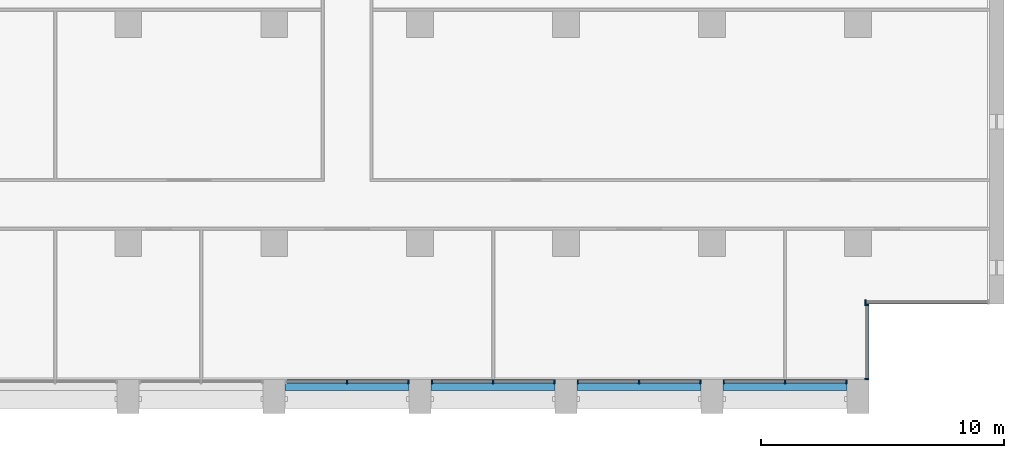
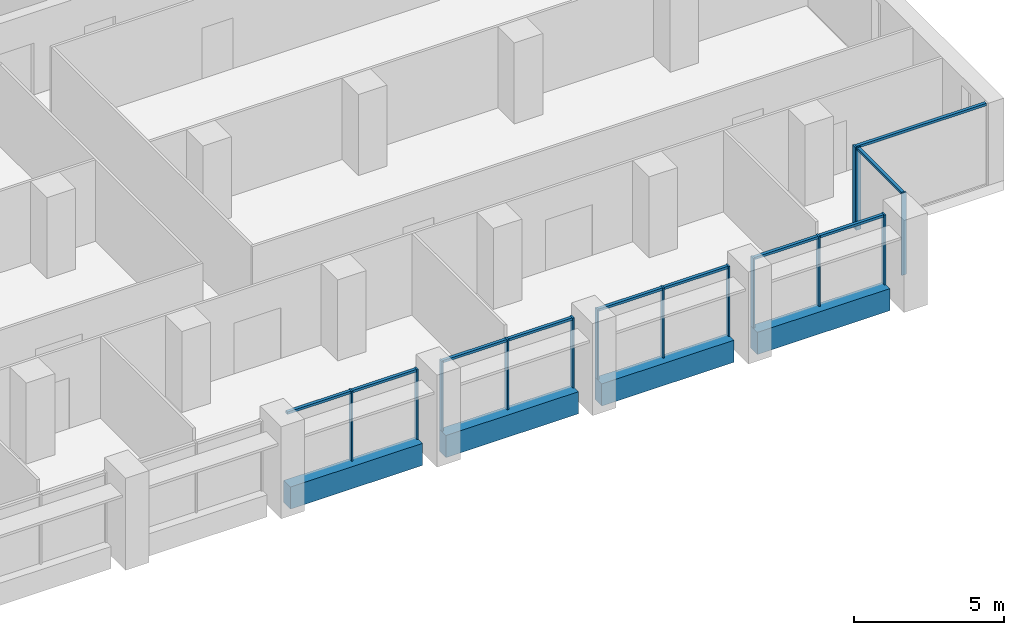
# One storey, part 3 of 17: 24 members, 4 beams, 6 elements without a shape of their own.
"""IFC4 building model written with IfcOpenShell, lengths in metres."""

import ifcopenshell
import ifcopenshell.guid

model = None  # the IFC model being written
_history = None  # IfcOwnerHistory: only IFC2X3 demands one
_inside = {}  # id of a spatial element -> (the spatial element, [elements in it])
_under = {}  # id of a project, library or spatial element -> (it, [spatial elements below it])
_declared = {}  # id of a project -> (the project, [libraries it declares])
_typed = {}  # id of a type object -> (the type object, [elements of that type])
_made_of = {}  # id of a material, layer set ... -> (it, [elements and type objects made of it])


def new_model(schema):
    """Start an empty IFC model of exactly this schema.

    Asked for "IFC4X3", IfcOpenShell would pick the latest addendum, in which some entities
    have other attributes; the version numbers below select the first issue.
    IFC2X3 requires an IfcOwnerHistory on every rooted entity: one is made here for all.
    """
    global model, _history
    if schema == "IFC4X3":
        model = ifcopenshell.file(schema_version=(4, 3, 0, 0))
    else:
        model = ifcopenshell.file(schema=schema)
    _inside.clear()
    _under.clear()
    _declared.clear()
    _typed.clear()
    _made_of.clear()
    _history = None
    if model.schema == "IFC2X3":
        org = make("IfcOrganization", Name="unknown")
        user = make(
            "IfcPersonAndOrganization",
            ThePerson=make("IfcPerson", FamilyName="unknown"),
            TheOrganization=org,
        )
        app = make(
            "IfcApplication",
            ApplicationDeveloper=org,
            Version="unknown",
            ApplicationFullName="unknown",
            ApplicationIdentifier="unknown",
        )
        _history = make(
            "IfcOwnerHistory",
            OwningUser=user,
            OwningApplication=app,
            ChangeAction="ADDED",
            CreationDate=0,
        )
    return model


def make(cls, **values):
    """One entity of the class cls with the attributes given. An attribute that is None is left unset."""
    return model.create_entity(
        cls, **{name: value for name, value in values.items() if value is not None}
    )


def rooted(cls, **values):
    """An entity with a GlobalId (a new one), such as an element, a storey or a relation."""
    return make(cls, GlobalId=ifcopenshell.guid.new(), OwnerHistory=_history, **values)


def si_unit(unit_type, name, prefix=None):
    """IfcSIUnit, for example si_unit("LENGTHUNIT", "METRE", prefix="MILLI")."""
    return make("IfcSIUnit", UnitType=unit_type, Prefix=prefix, Name=name)


def assignment(units):
    """IfcUnitAssignment: the units of a project."""
    return None if units is None else make("IfcUnitAssignment", Units=units)


def point(xyz):
    """IfcCartesianPoint."""
    return None if xyz is None else make("IfcCartesianPoint", Coordinates=xyz)


def direction(xyz):
    """IfcDirection."""
    return None if xyz is None else make("IfcDirection", DirectionRatios=xyz)


def frame(location, z_axis=None, x_axis=None):
    """IfcAxis2Placement3D, a coordinate frame: its origin and axes. An axis left out is left unset."""
    return make(
        "IfcAxis2Placement3D",
        Location=point(location),
        Axis=direction(z_axis),
        RefDirection=direction(x_axis),
    )


def frame_2d(location, x_axis=None):
    """IfcAxis2Placement2D, a coordinate frame in the plane: its origin and x axis."""
    return make(
        "IfcAxis2Placement2D", Location=point(location), RefDirection=direction(x_axis)
    )


def origin():
    """The frame at (0, 0, 0) with its axes left unset."""
    return frame((0.0, 0.0, 0.0))


def origin_2d():
    """The frame at (0, 0) in the plane with its x axis left unset."""
    return frame_2d((0.0, 0.0))


def place(relative_to, where):
    """IfcLocalPlacement: puts the frame where relative to a parent placement (None: the world)."""
    return make(
        "IfcLocalPlacement", PlacementRelTo=relative_to, RelativePlacement=where
    )


def context(
    kind, dimensions, precision=None, world=None, true_north=None, identifier=None
):
    """IfcGeometricRepresentationContext, for example the 3D "Model" context."""
    return make(
        "IfcGeometricRepresentationContext",
        ContextIdentifier=identifier,
        ContextType=kind,
        CoordinateSpaceDimension=dimensions,
        Precision=precision,
        WorldCoordinateSystem=world,
        TrueNorth=true_north,
    )


def subcontext(parent, identifier, kind, view, scale=None):
    """IfcGeometricRepresentationSubContext, for example "Body" below "Model"."""
    return make(
        "IfcGeometricRepresentationSubContext",
        ContextIdentifier=identifier,
        ContextType=kind,
        ParentContext=parent,
        TargetScale=scale,
        TargetView=view,
    )


def project(units=None, contexts=None):
    """IfcProject with its units and contexts."""
    return rooted(
        "IfcProject",
        Name="project",
        RepresentationContexts=contexts,
        UnitsInContext=assignment(units),
    )


def spatial(cls, under=None, at=None, **own):
    """A site, building, storey or space (cls), placed at a placement, below another one or the project."""
    s = rooted(cls, ObjectPlacement=at, **own)
    if under is not None:
        _under.setdefault(under.id(), (under, []))[1].append(s)
    return s


def profile(cls, at=None, kind="AREA", **sizes):
    """A parametric profile (cls). Its sizes go by their IFC names, for example OverallWidth=200.0."""
    return make(cls, ProfileType=kind, Position=at, **sizes)


def rectangle(**sizes):
    """IfcRectangleProfileDef."""
    return profile("IfcRectangleProfileDef", **sizes)


def extrude(swept, where, along, depth):
    """IfcExtrudedAreaSolid: the profile swept, set in the frame where, extruded along a direction by depth."""
    return make(
        "IfcExtrudedAreaSolid",
        SweptArea=swept,
        Position=where,
        ExtrudedDirection=direction(along),
        Depth=depth,
    )


def shape(context_of_items, identifier, shape_type, items):
    """IfcShapeRepresentation: the items that make up one representation, for example the "Body"."""
    return make(
        "IfcShapeRepresentation",
        ContextOfItems=context_of_items,
        RepresentationIdentifier=identifier,
        RepresentationType=shape_type,
        Items=items,
    )


def material(Name=None, Category=None):
    """IfcMaterial."""
    return make("IfcMaterial", Name=Name, Category=Category)


def material_profile(
    of_material, cross_section, Name=None, Category=None, Priority=None
):
    """IfcMaterialProfile: a cross section and its material."""
    return make(
        "IfcMaterialProfile",
        Name=Name,
        Material=of_material,
        Profile=cross_section,
        Priority=Priority,
        Category=Category,
    )


def profile_set(profiles, Name=None, composite=None):
    """IfcMaterialProfileSet."""
    return make(
        "IfcMaterialProfileSet",
        Name=Name,
        MaterialProfiles=profiles,
        CompositeProfile=composite,
    )


def made_of(thing, what):
    """Note that an element or type object is made of a material, layer set ...; save() writes the relation."""
    if what is not None:
        _made_of.setdefault(what.id(), (what, []))[1].append(thing)
    return thing


def type_object(cls, material=None, **own):
    """A type object (cls), such as IfcWallType, which elements share."""
    return made_of(rooted(cls, **own), material)


def element(
    cls,
    number,
    at=None,
    inside=None,
    cuts=None,
    type_object=None,
    material=None,
    context=None,
    identifier="Body",
    shape_type=None,
    held_by="IfcProductDefinitionShape",
    body=None,
    shapes=None,
    **own,
):
    """One element of the class cls, such as IfcWall. Its Tag is "e" and its number.

    at: its placement. inside: the storey or other place that contains it. cuts: it is an
    opening in that element (IfcRelVoidsElement). A single representation is given by context,
    identifier, shape_type and body (its items); several are given by shapes. held_by: the class
    of the entity that holds the representations. save() writes the other relations.
    """
    e = rooted(cls, Tag="e%d" % number, ObjectPlacement=at, **own)
    if body is not None:
        shapes = [shape(context, identifier, shape_type, body)]
    if shapes is not None:
        e.Representation = make(held_by, Representations=shapes)
    if inside is not None:
        _inside.setdefault(inside.id(), (inside, []))[1].append(e)
    if cuts is not None:
        rooted(
            "IfcRelVoidsElement", RelatingBuildingElement=cuts, RelatedOpeningElement=e
        )
    if type_object is not None:
        _typed.setdefault(type_object.id(), (type_object, []))[1].append(e)
    return made_of(e, material)


def aggregate(whole, parts):
    """IfcRelAggregates: a whole, such as a stair, and the parts it consists of."""
    return rooted("IfcRelAggregates", RelatingObject=whole, RelatedObjects=parts)


def save(model, path):
    """Write the relations noted so far, then the file.

    IfcRelAggregates (storeys below a building ...), IfcRelContainedInSpatialStructure (elements
    in a storey), IfcRelDefinesByType, IfcRelAssociatesMaterial and IfcRelDeclares: one each for
    every whole, place, type object, material and project.
    """
    for whole, parts in _under.values():
        aggregate(whole, parts)
    for where, things in _inside.values():
        rooted(
            "IfcRelContainedInSpatialStructure",
            RelatedElements=things,
            RelatingStructure=where,
        )
    for kind, things in _typed.values():
        rooted("IfcRelDefinesByType", RelatedObjects=things, RelatingType=kind)
    for what, things in _made_of.values():
        rooted("IfcRelAssociatesMaterial", RelatedObjects=things, RelatingMaterial=what)
    for by, libraries in _declared.values():
        rooted("IfcRelDeclares", RelatingContext=by, RelatedDefinitions=libraries)
    model.write(path)


model = new_model("IFC4")

# Units and contexts
model_context = context("Model", 3, precision=1e-05, world=origin(), true_north=direction((0.0, 1.0)))
body_context = subcontext(model_context, "Body", "Model", "MODEL_VIEW")
ifc_project = project(units=[si_unit("LENGTHUNIT", "METRE"), si_unit("AREAUNIT", "SQUARE_METRE"), si_unit("VOLUMEUNIT", "CUBIC_METRE"), si_unit("PLANEANGLEUNIT", "RADIAN"), si_unit("MASSUNIT", "GRAM", prefix="KILO")], contexts=[model_context])

# Site, building, storey
site_placement = place(None, origin())
site = spatial("IfcSite", under=ifc_project, at=site_placement, CompositionType="ELEMENT")
building_placement = place(site_placement, origin())
building = spatial("IfcBuilding", under=site, at=building_placement, Name="Calvaro Tower", CompositionType="ELEMENT")
storey_placement = place(building_placement, frame((0.0, 0.0, 193.0)))
storey = spatial("IfcBuildingStorey", under=building, at=storey_placement, Name="L48", CompositionType="ELEMENT", Elevation=193.0)

# Curtain wall, members
ifc_material_1 = material(Name="Anodised aluminium", Category="aluminium")
curtain_wall_type = type_object("IfcCurtainWallType", Name="Office curtain wall, upper zone", PredefinedType="NOTDEFINED", material=ifc_material_1)
curtain_wall_1_placement = place(storey_placement, origin())
curtain_wall_1 = element("IfcCurtainWall", 1, at=curtain_wall_1_placement, inside=storey, type_object=curtain_wall_type, Name="CW3 south curtain wall", PredefinedType="NOTDEFINED")
ifc_material_2 = material(Name="Anodised aluminium", Category="aluminium")
ifc_material_profile_1 = material_profile(ifc_material_2, rectangle(XDim=0.179931640625, YDim=0.06005859375, at=origin_2d()), Name="Mullion S3 60 x 180")
ifc_profile_set_1 = profile_set([ifc_material_profile_1], Name="Anodised aluminium")
member_type_1 = type_object("IfcMemberType", Name="Mullion S3 60 x 180", PredefinedType="MULLION", material=ifc_profile_set_1)
member_1_placement = place(storey_placement, frame((45.0, 4.31005859375, 0.0), z_axis=(0.0, 0.0, 1.0), x_axis=(0.0, 1.0, 0.0)))
member_1 = element("IfcMember", 2, at=member_1_placement, type_object=member_type_1, Name="CW3 mullion 2", PredefinedType="MULLION", context=body_context, shape_type="SweptSolid", body=[
    extrude(rectangle(XDim=0.179931640625, YDim=0.06005859375, at=origin_2d()), origin(), (0.0, 0.0, 1.0), 2.85009765625),
])
member_2_placement = place(storey_placement, frame((47.52001953125, 4.31005859375, 0.0), z_axis=(0.0, 0.0, 1.0), x_axis=(0.0, 1.0, 0.0)))
member_2 = element("IfcMember", 3, at=member_2_placement, type_object=member_type_1, Name="CW3 mullion 3", PredefinedType="MULLION", context=body_context, shape_type="SweptSolid", body=[
    extrude(rectangle(XDim=0.179931640625, YDim=0.06005859375, at=origin_2d()), origin(), (0.0, 0.0, 1.0), 2.85009765625),
])

curtain_wall_2_placement = place(storey_placement, origin())
curtain_wall_2 = element("IfcCurtainWall", 4, at=curtain_wall_2_placement, inside=storey, type_object=curtain_wall_type, Name="CW3 south curtain wall", PredefinedType="NOTDEFINED")
member_3_placement = place(storey_placement, frame((48.47998046875, 4.31005859375, 0.0), z_axis=(0.0, 0.0, 1.0), x_axis=(0.0, 1.0, 0.0)))
member_3 = element("IfcMember", 5, at=member_3_placement, type_object=member_type_1, Name="CW3 mullion 1", PredefinedType="MULLION", context=body_context, shape_type="SweptSolid", body=[
    extrude(rectangle(XDim=0.179931640625, YDim=0.06005859375, at=origin_2d()), origin(), (0.0, 0.0, 1.0), 2.85009765625),
])
member_4_placement = place(storey_placement, frame((51.0, 4.31005859375, 0.0), z_axis=(0.0, 0.0, 1.0), x_axis=(0.0, 1.0, 0.0)))
member_4 = element("IfcMember", 6, at=member_4_placement, type_object=member_type_1, Name="CW3 mullion 2", PredefinedType="MULLION", context=body_context, shape_type="SweptSolid", body=[
    extrude(rectangle(XDim=0.179931640625, YDim=0.06005859375, at=origin_2d()), origin(), (0.0, 0.0, 1.0), 2.85009765625),
])
member_5_placement = place(storey_placement, frame((53.52001953125, 4.31005859375, 0.0), z_axis=(0.0, 0.0, 1.0), x_axis=(0.0, 1.0, 0.0)))
member_5 = element("IfcMember", 7, at=member_5_placement, type_object=member_type_1, Name="CW3 mullion 3", PredefinedType="MULLION", context=body_context, shape_type="SweptSolid", body=[
    extrude(rectangle(XDim=0.179931640625, YDim=0.06005859375, at=origin_2d()), origin(), (0.0, 0.0, 1.0), 2.85009765625),
])

curtain_wall_3_placement = place(storey_placement, origin())
curtain_wall_3 = element("IfcCurtainWall", 8, at=curtain_wall_3_placement, inside=storey, type_object=curtain_wall_type, Name="CW3 south curtain wall", PredefinedType="NOTDEFINED")
member_6_placement = place(storey_placement, frame((54.47998046875, 4.31005859375, 0.0), z_axis=(0.0, 0.0, 1.0), x_axis=(0.0, 1.0, 0.0)))
member_6 = element("IfcMember", 9, at=member_6_placement, type_object=member_type_1, Name="CW3 mullion 1", PredefinedType="MULLION", context=body_context, shape_type="SweptSolid", body=[
    extrude(rectangle(XDim=0.179931640625, YDim=0.06005859375, at=origin_2d()), origin(), (0.0, 0.0, 1.0), 2.85009765625),
])
member_7_placement = place(storey_placement, frame((57.0, 4.31005859375, 0.0), z_axis=(0.0, 0.0, 1.0), x_axis=(0.0, 1.0, 0.0)))
member_7 = element("IfcMember", 10, at=member_7_placement, type_object=member_type_1, Name="CW3 mullion 2", PredefinedType="MULLION", context=body_context, shape_type="SweptSolid", body=[
    extrude(rectangle(XDim=0.179931640625, YDim=0.06005859375, at=origin_2d()), origin(), (0.0, 0.0, 1.0), 2.85009765625),
])
member_8_placement = place(storey_placement, frame((59.52001953125, 4.31005859375, 0.0), z_axis=(0.0, 0.0, 1.0), x_axis=(0.0, 1.0, 0.0)))
member_8 = element("IfcMember", 11, at=member_8_placement, type_object=member_type_1, Name="CW3 mullion 3", PredefinedType="MULLION", context=body_context, shape_type="SweptSolid", body=[
    extrude(rectangle(XDim=0.179931640625, YDim=0.06005859375, at=origin_2d()), origin(), (0.0, 0.0, 1.0), 2.85009765625),
])

curtain_wall_4_placement = place(storey_placement, origin())
curtain_wall_4 = element("IfcCurtainWall", 12, at=curtain_wall_4_placement, inside=storey, type_object=curtain_wall_type, Name="CW3 south curtain wall", PredefinedType="NOTDEFINED")
member_9_placement = place(storey_placement, frame((60.47998046875, 4.31005859375, 0.0), z_axis=(0.0, 0.0, 1.0), x_axis=(0.0, 1.0, 0.0)))
member_9 = element("IfcMember", 13, at=member_9_placement, type_object=member_type_1, Name="CW3 mullion 1", PredefinedType="MULLION", context=body_context, shape_type="SweptSolid", body=[
    extrude(rectangle(XDim=0.179931640625, YDim=0.06005859375, at=origin_2d()), origin(), (0.0, 0.0, 1.0), 2.85009765625),
])
member_10_placement = place(storey_placement, frame((63.0, 4.31005859375, 0.0), z_axis=(0.0, 0.0, 1.0), x_axis=(0.0, 1.0, 0.0)))
member_10 = element("IfcMember", 14, at=member_10_placement, type_object=member_type_1, Name="CW3 mullion 2", PredefinedType="MULLION", context=body_context, shape_type="SweptSolid", body=[
    extrude(rectangle(XDim=0.179931640625, YDim=0.06005859375, at=origin_2d()), origin(), (0.0, 0.0, 1.0), 2.85009765625),
])
member_11_placement = place(storey_placement, frame((65.52001953125, 4.31005859375, 0.0), z_axis=(0.0, 0.0, 1.0), x_axis=(0.0, 1.0, 0.0)))
member_11 = element("IfcMember", 15, at=member_11_placement, type_object=member_type_1, Name="CW3 mullion 3", PredefinedType="MULLION", context=body_context, shape_type="SweptSolid", body=[
    extrude(rectangle(XDim=0.179931640625, YDim=0.06005859375, at=origin_2d()), origin(), (0.0, 0.0, 1.0), 2.85009765625),
])

curtain_wall_5_placement = place(storey_placement, origin())
curtain_wall_5 = element("IfcCurtainWall", 16, at=curtain_wall_5_placement, inside=storey, type_object=curtain_wall_type, Name="CW3 corner curtain wall", PredefinedType="NOTDEFINED")
member_12_placement = place(storey_placement, frame((66.360107421875, 4.429931640625, 0.0), z_axis=(0.0, 0.0, 1.0), x_axis=(-1.0, 0.0, 0.0)))
member_12 = element("IfcMember", 17, at=member_12_placement, type_object=member_type_1, Name="CW3 mullion 1", PredefinedType="MULLION", context=body_context, shape_type="SweptSolid", body=[
    extrude(rectangle(XDim=0.179931640625, YDim=0.06005859375, at=origin_2d()), origin(), (0.0, 0.0, 1.0), 3.35009765625),
])
member_13_placement = place(storey_placement, frame((66.360107421875, 7.469970703125, 0.0), z_axis=(0.0, 0.0, 1.0), x_axis=(-1.0, 0.0, 0.0)))
member_13 = element("IfcMember", 18, at=member_13_placement, type_object=member_type_1, Name="CW3 mullion 2", PredefinedType="MULLION", context=body_context, shape_type="SweptSolid", body=[
    extrude(rectangle(XDim=0.179931640625, YDim=0.06005859375, at=origin_2d()), origin(), (0.0, 0.0, 1.0), 3.35009765625),
])

# Curtain wall, member
curtain_wall_6_placement = place(storey_placement, origin())
curtain_wall_6 = element("IfcCurtainWall", 19, at=curtain_wall_6_placement, inside=storey, type_object=curtain_wall_type, Name="CW3 corner curtain wall", PredefinedType="NOTDEFINED")
member_14_placement = place(storey_placement, frame((66.300048828125, 7.590087890625, 0.0), z_axis=(0.0, 0.0, 1.0), x_axis=(0.0, 1.0, 0.0)))
member_14 = element("IfcMember", 20, at=member_14_placement, type_object=member_type_1, Name="CW3 mullion 1", PredefinedType="MULLION", context=body_context, shape_type="SweptSolid", body=[
    extrude(rectangle(XDim=0.179931640625, YDim=0.06005859375, at=origin_2d()), origin(), (0.0, 0.0, 1.0), 3.35009765625),
])

# Beams
ifc_material_3 = material(Name="Concrete C50/60 precast", Category="concrete")
ifc_material_profile_2 = material_profile(ifc_material_3, rectangle(XDim=0.449951171875, YDim=0.89990234375, at=origin_2d()), Name="RC 450x900")
ifc_profile_set_2 = profile_set([ifc_material_profile_2], Name="Concrete C50/60 precast")
beam_type = type_object("IfcBeamType", Name="Spandrel beam 450x900 C50/60", PredefinedType="SPANDREL", material=ifc_profile_set_2)
for number, where, z_axis, x_axis, name in (
    (21, (42.449951171875, 4.175048828125, -0.449951171875), (1.0, 0.0, 0.0), (0.0, 1.0, 0.0), "Spandrel beam"),
    (22, (48.449951171875, 4.175048828125, -0.449951171875), (1.0, 0.0, 0.0), (0.0, 1.0, 0.0), "Spandrel beam"),
    (23, (54.449951171875, 4.175048828125, -0.449951171875), (1.0, 0.0, 0.0), (0.0, 1.0, 0.0), "Spandrel beam"),
    (24, (60.449951171875, 4.175048828125, -0.449951171875), (1.0, 0.0, 0.0), (0.0, 1.0, 0.0), "Spandrel beam"),
):
    element("IfcBeam", number, at=place(storey_placement, frame(where, z_axis=z_axis, x_axis=x_axis)), inside=storey, type_object=beam_type, Name=name, PredefinedType="SPANDREL", context=body_context, shape_type="SweptSolid", body=[
        extrude(rectangle(XDim=0.449951171875, YDim=0.89990234375, at=origin_2d()), origin(), (0.0, 0.0, 1.0), 5.10009765625),
    ])

# Member
ifc_material_4 = material(Name="Anodised aluminium", Category="aluminium")
ifc_material_profile_3 = material_profile(ifc_material_4, rectangle(XDim=0.1201171875, YDim=0.10009765625, at=origin_2d()), Name="Transom S3 100 x 120")
ifc_profile_set_3 = profile_set([ifc_material_profile_3], Name="Anodised aluminium")
member_type_2 = type_object("IfcMemberType", Name="Transom S3 100 x 120", PredefinedType="USERDEFINED", material=ifc_profile_set_3)
member_15_placement = place(storey_placement, frame((42.510009765625, 4.31005859375, 2.800048828125), z_axis=(1.0, 0.0, 0.0), x_axis=(0.0, 1.0, 0.0)))
member_15 = element("IfcMember", 25, at=member_15_placement, type_object=member_type_2, Name="CW3 transom 1.1", ObjectType="TRANSOM", PredefinedType="USERDEFINED", context=body_context, shape_type="SweptSolid", body=[
    extrude(rectangle(XDim=0.1201171875, YDim=0.10009765625, at=origin_2d()), origin(), (0.0, 0.0, 1.0), 2.4599609375),
])

member_16_placement = place(storey_placement, frame((45.030029296875, 4.31005859375, 2.800048828125), z_axis=(1.0, 0.0, 0.0), x_axis=(0.0, 1.0, 0.0)))
member_16 = element("IfcMember", 26, at=member_16_placement, type_object=member_type_2, Name="CW3 transom 2.1", ObjectType="TRANSOM", PredefinedType="USERDEFINED", context=body_context, shape_type="SweptSolid", body=[
    extrude(rectangle(XDim=0.1201171875, YDim=0.10009765625, at=origin_2d()), origin(), (0.0, 0.0, 1.0), 2.4599609375),
])

aggregate(curtain_wall_1, [member_1, member_2, member_15, member_16])

member_17_placement = place(storey_placement, frame((48.510009765625, 4.31005859375, 2.800048828125), z_axis=(1.0, 0.0, 0.0), x_axis=(0.0, 1.0, 0.0)))
member_17 = element("IfcMember", 27, at=member_17_placement, type_object=member_type_2, Name="CW3 transom 1.1", ObjectType="TRANSOM", PredefinedType="USERDEFINED", context=body_context, shape_type="SweptSolid", body=[
    extrude(rectangle(XDim=0.1201171875, YDim=0.10009765625, at=origin_2d()), origin(), (0.0, 0.0, 1.0), 2.4599609375),
])

member_18_placement = place(storey_placement, frame((51.030029296875, 4.31005859375, 2.800048828125), z_axis=(1.0, 0.0, 0.0), x_axis=(0.0, 1.0, 0.0)))
member_18 = element("IfcMember", 28, at=member_18_placement, type_object=member_type_2, Name="CW3 transom 2.1", ObjectType="TRANSOM", PredefinedType="USERDEFINED", context=body_context, shape_type="SweptSolid", body=[
    extrude(rectangle(XDim=0.1201171875, YDim=0.10009765625, at=origin_2d()), origin(), (0.0, 0.0, 1.0), 2.4599609375),
])

aggregate(curtain_wall_2, [member_3, member_4, member_5, member_17, member_18])

member_19_placement = place(storey_placement, frame((54.510009765625, 4.31005859375, 2.800048828125), z_axis=(1.0, 0.0, 0.0), x_axis=(0.0, 1.0, 0.0)))
member_19 = element("IfcMember", 29, at=member_19_placement, type_object=member_type_2, Name="CW3 transom 1.1", ObjectType="TRANSOM", PredefinedType="USERDEFINED", context=body_context, shape_type="SweptSolid", body=[
    extrude(rectangle(XDim=0.1201171875, YDim=0.10009765625, at=origin_2d()), origin(), (0.0, 0.0, 1.0), 2.4599609375),
])

member_20_placement = place(storey_placement, frame((57.030029296875, 4.31005859375, 2.800048828125), z_axis=(1.0, 0.0, 0.0), x_axis=(0.0, 1.0, 0.0)))
member_20 = element("IfcMember", 30, at=member_20_placement, type_object=member_type_2, Name="CW3 transom 2.1", ObjectType="TRANSOM", PredefinedType="USERDEFINED", context=body_context, shape_type="SweptSolid", body=[
    extrude(rectangle(XDim=0.1201171875, YDim=0.10009765625, at=origin_2d()), origin(), (0.0, 0.0, 1.0), 2.4599609375),
])

aggregate(curtain_wall_3, [member_6, member_7, member_8, member_19, member_20])

member_21_placement = place(storey_placement, frame((60.510009765625, 4.31005859375, 2.800048828125), z_axis=(1.0, 0.0, 0.0), x_axis=(0.0, 1.0, 0.0)))
member_21 = element("IfcMember", 31, at=member_21_placement, type_object=member_type_2, Name="CW3 transom 1.1", ObjectType="TRANSOM", PredefinedType="USERDEFINED", context=body_context, shape_type="SweptSolid", body=[
    extrude(rectangle(XDim=0.1201171875, YDim=0.10009765625, at=origin_2d()), origin(), (0.0, 0.0, 1.0), 2.4599609375),
])

member_22_placement = place(storey_placement, frame((63.030029296875, 4.31005859375, 2.800048828125), z_axis=(1.0, 0.0, 0.0), x_axis=(0.0, 1.0, 0.0)))
member_22 = element("IfcMember", 32, at=member_22_placement, type_object=member_type_2, Name="CW3 transom 2.1", ObjectType="TRANSOM", PredefinedType="USERDEFINED", context=body_context, shape_type="SweptSolid", body=[
    extrude(rectangle(XDim=0.1201171875, YDim=0.10009765625, at=origin_2d()), origin(), (0.0, 0.0, 1.0), 2.4599609375),
])

aggregate(curtain_wall_4, [member_9, member_10, member_11, member_21, member_22])

member_23_placement = place(storey_placement, frame((66.360107421875, 4.4599609375, 3.300048828125), z_axis=(0.0, 1.0, 0.0), x_axis=(-1.0, 0.0, 0.0)))
member_23 = element("IfcMember", 33, at=member_23_placement, type_object=member_type_2, Name="CW3 transom 1.1", ObjectType="TRANSOM", PredefinedType="USERDEFINED", context=body_context, shape_type="SweptSolid", body=[
    extrude(rectangle(XDim=0.1201171875, YDim=0.10009765625, at=origin_2d()), origin(), (0.0, 0.0, 1.0), 2.97998046875),
])

aggregate(curtain_wall_5, [member_12, member_13, member_23])

member_24_placement = place(storey_placement, frame((66.330078125, 7.590087890625, 3.300048828125), z_axis=(1.0, 0.0, 0.0), x_axis=(0.0, 1.0, 0.0)))
member_24 = element("IfcMember", 34, at=member_24_placement, type_object=member_type_2, Name="CW3 transom 1.1", ObjectType="TRANSOM", PredefinedType="USERDEFINED", context=body_context, shape_type="SweptSolid", body=[
    extrude(rectangle(XDim=0.1201171875, YDim=0.10009765625, at=origin_2d()), origin(), (0.0, 0.0, 1.0), 5.010009765625),
])

aggregate(curtain_wall_6, [member_14, member_24])

save(model, "model.ifc")
